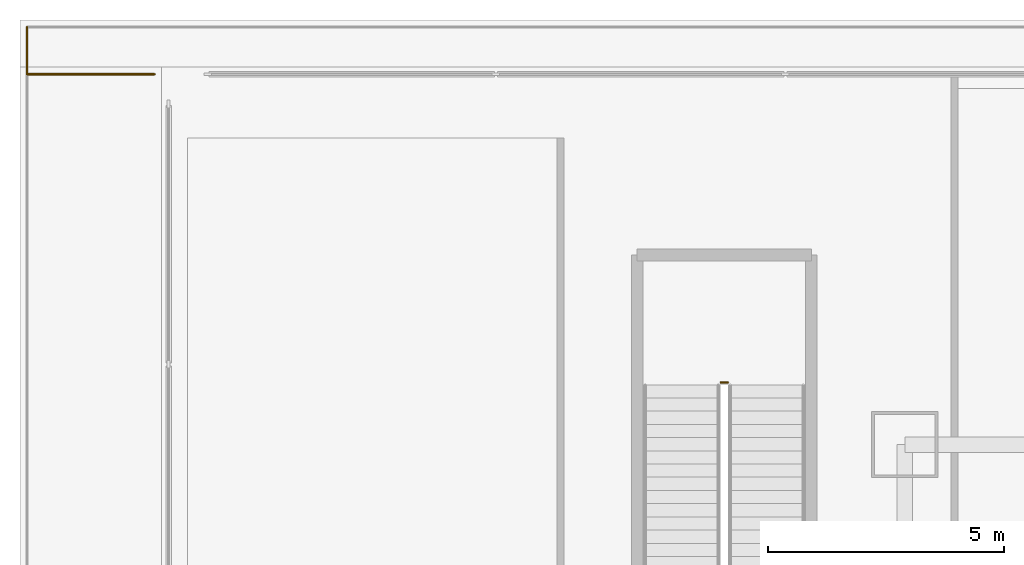
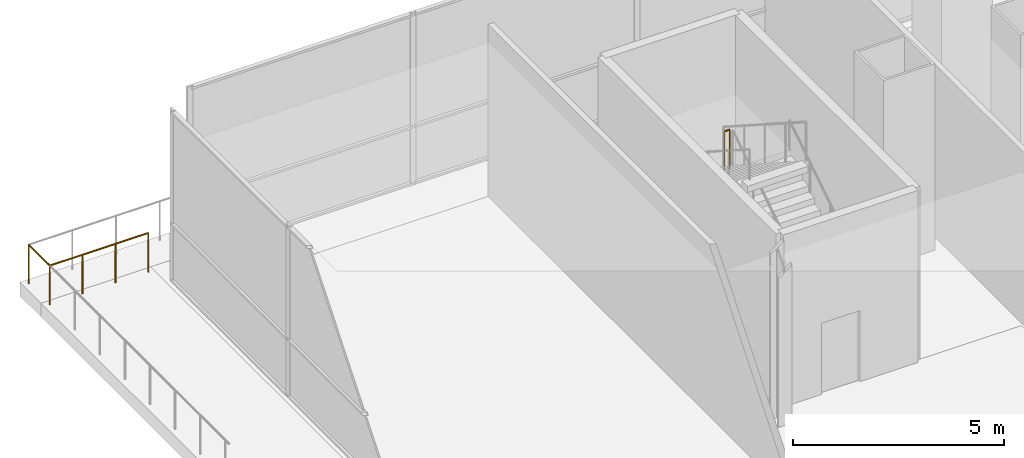
# One storey, part 32 of 36: 3 railings.
"""IFC4 building model written with IfcOpenShell, lengths in metres."""

from ifc_helpers import new_model, si_unit, direction, frame, origin, origin_2d, place, context, subcontext, project, spatial, circle, extrude, material, type_object, element, save


model = new_model("IFC4")

# Units and contexts
model_context = context("Model", 3, precision=1e-05, world=origin(), true_north=direction((0.0, 1.0)))
body_context = subcontext(model_context, "Body", "Model", "MODEL_VIEW")
ifc_project = project(units=[si_unit("LENGTHUNIT", "METRE"), si_unit("AREAUNIT", "SQUARE_METRE"), si_unit("VOLUMEUNIT", "CUBIC_METRE"), si_unit("PLANEANGLEUNIT", "RADIAN"), si_unit("MASSUNIT", "GRAM", prefix="KILO")], contexts=[model_context])

# Site, building, storey
site_placement = place(None, origin())
site = spatial("IfcSite", under=ifc_project, at=site_placement, CompositionType="ELEMENT")
building_placement = place(site_placement, origin())
building = spatial("IfcBuilding", under=site, at=building_placement, Name="Trevonay Congress Spire", CompositionType="ELEMENT")
storey_placement = place(building_placement, frame((0.0, 0.0, 5.39990234375)))
storey = spatial("IfcBuildingStorey", under=building, at=storey_placement, Name="L01", CompositionType="ELEMENT", Elevation=5.39990234375)

# Railings
ifc_material = material(Name="Pale Anodised Aluminium EN AW-6063-T6", Category="aluminium")
railing_type_1 = type_object("IfcRailingType", Name="RAL-EXT-GUARD-115", PredefinedType="GUARDRAIL", material=ifc_material)
railing_1_placement = place(storey_placement, frame((-39.14990234375, 27.35009765625, 0.0)))
element("IfcRailing", 1, at=railing_1_placement, inside=storey, type_object=railing_type_1, Name="L01 perimeter safety guard GRD-L01-TER-W-3", PredefinedType="GUARDRAIL", context=body_context, shape_type="SweptSolid", body=[
    extrude(circle(Radius=0.02392578125, at=origin_2d()), frame((0.0, 0.0, 1.1259765625), z_axis=(-1.0, 0.0, 0.0), x_axis=(0.0, -1.0, 0.0)), (0.0, 0.0, 1.0), 2.7001953125),
    extrude(circle(Radius=0.02099609375, at=origin_2d()), origin(), (0.0, 0.0, 1.0), 1.101806640625),
    extrude(circle(Radius=0.02099609375, at=origin_2d()), frame((-0.900146484375, 0.0, 0.0)), (0.0, 0.0, 1.0), 1.101806640625),
    extrude(circle(Radius=0.02099609375, at=origin_2d()), frame((-1.800048828125, 0.0, 0.0)), (0.0, 0.0, 1.0), 1.101806640625),
    extrude(circle(Radius=0.02099609375, at=origin_2d()), frame((-2.7001953125, 0.0, 0.0)), (0.0, 0.0, 1.0), 1.101806640625),
])
railing_2_placement = place(storey_placement, frame((-41.85009765625, 27.35009765625, 0.0)))
element("IfcRailing", 2, at=railing_2_placement, inside=storey, type_object=railing_type_1, Name="L01 perimeter safety guard GRD-L01-TER-N-1", PredefinedType="GUARDRAIL", context=body_context, shape_type="SweptSolid", body=[
    extrude(circle(Radius=0.02392578125, at=origin_2d()), frame((0.0, 0.0, 1.1259765625), z_axis=(0.0, 1.0, 0.0), x_axis=(-1.0, 0.0, 0.0)), (0.0, 0.0, 1.0), 1.0),
    extrude(circle(Radius=0.02099609375, at=origin_2d()), origin(), (0.0, 0.0, 1.0), 1.101806640625),
    extrude(circle(Radius=0.02099609375, at=origin_2d()), frame((0.0, 1.0, 0.0)), (0.0, 0.0, 1.0), 1.101806640625),
])
railing_type_2 = type_object("IfcRailingType", Name="RAL-STAIR-GUARD-110", PredefinedType="GUARDRAIL", material=ifc_material)
railing_3_placement = place(storey_placement, frame((-27.0, 20.820068359375, 2.7001953125)))
element("IfcRailing", 3, at=railing_3_placement, inside=storey, type_object=railing_type_2, Name="L01 ST-5 stair guard 2", PredefinedType="GUARDRAIL", context=body_context, shape_type="SweptSolid", body=[
    extrude(circle(Radius=0.02392578125, at=origin_2d()), frame((0.0, 0.0, 1.1259765625), z_axis=(-1.0, 0.0, 0.0), x_axis=(0.0, -1.0, 0.0)), (0.0, 0.0, 1.0), 0.14990234375),
    extrude(circle(Radius=0.02099609375, at=origin_2d()), origin(), (0.0, 0.0, 1.0), 1.101806640625),
    extrude(circle(Radius=0.02099609375, at=origin_2d()), frame((-0.14990234375, 0.0, 0.0)), (0.0, 0.0, 1.0), 1.101806640625),
])

save(model, "model.ifc")
